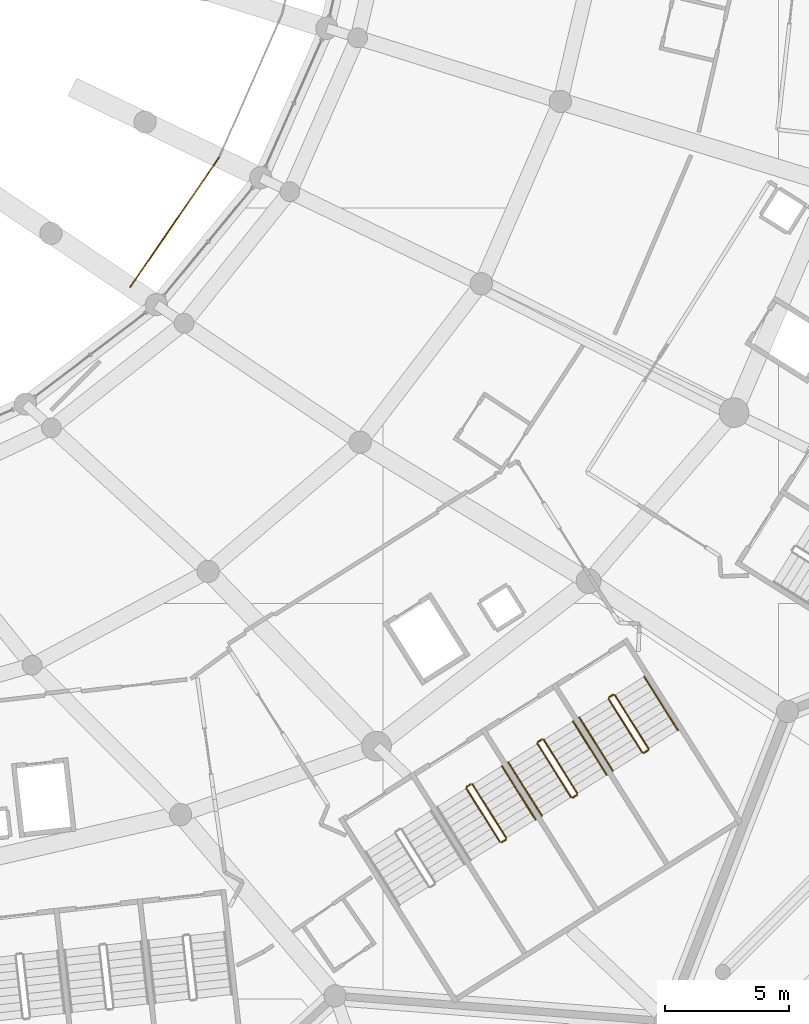
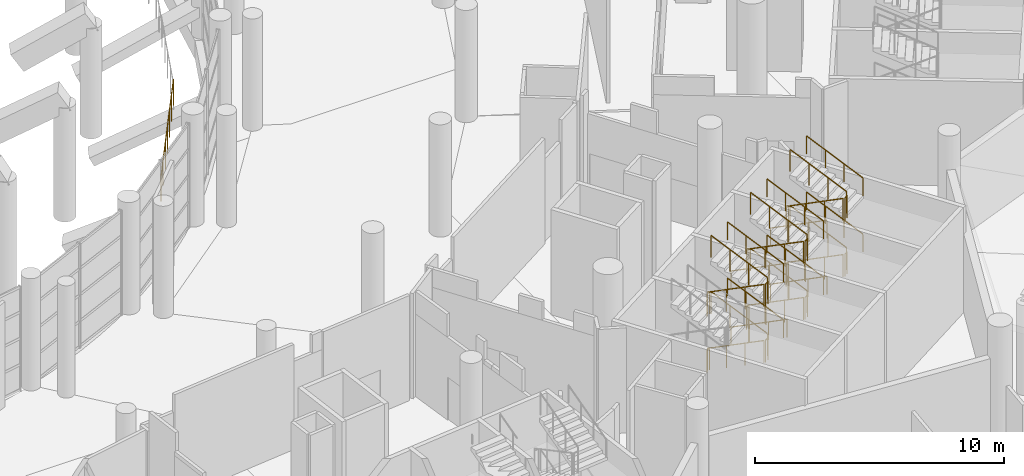
# One storey, part 240 of 271: 35 railings.
"""IFC4 building model written with IfcOpenShell, lengths in metres."""

from ifc_helpers import new_model, si_unit, direction, frame, origin, origin_2d, place, context, subcontext, project, spatial, circle, extrude, material, type_object, element, save


model = new_model("IFC4")

# Units and contexts
model_context = context("Model", 3, precision=1e-05, world=origin(), true_north=direction((0.0, 1.0)))
body_context = subcontext(model_context, "Body", "Model", "MODEL_VIEW")
ifc_project = project(units=[si_unit("LENGTHUNIT", "METRE"), si_unit("AREAUNIT", "SQUARE_METRE"), si_unit("VOLUMEUNIT", "CUBIC_METRE"), si_unit("PLANEANGLEUNIT", "RADIAN"), si_unit("MASSUNIT", "GRAM", prefix="KILO")], contexts=[model_context])

# Site, building, storey
site_placement = place(None, origin())
site = spatial("IfcSite", under=ifc_project, at=site_placement, CompositionType="ELEMENT")
building_placement = place(site_placement, origin())
building = spatial("IfcBuilding", under=site, at=building_placement, Name="Meseta Stadium", CompositionType="ELEMENT")
storey_placement = place(building_placement, frame((0.0, 0.0, 6.5)))
storey = spatial("IfcBuildingStorey", under=building, at=storey_placement, Name="L01", CompositionType="ELEMENT", Elevation=6.5)

# Railings
ifc_material_1 = material(Name="Steel S355", Category="steel")
railing_type_1 = type_object("IfcRailingType", Name="Stair guard 1100", PredefinedType="GUARDRAIL", material=ifc_material_1)
railing_1_placement = place(storey_placement, frame((67.3642578125, -87.47802734375, 0.15283203125)))
element("IfcRailing", 1, at=railing_1_placement, inside=storey, type_object=railing_type_1, Name="ST106 L01 guard 1", PredefinedType="GUARDRAIL", context=body_context, shape_type="SweptSolid", body=[
    extrude(circle(Radius=0.02392578125, at=origin_2d()), frame((0.0, 0.0, 1.076171875), z_axis=(0.480058669713, -0.764152192252, 0.430830710036), x_axis=(0.846769111272, 0.53196059271, 0.0)), (0.0, 0.0, 1.0), 2.836669921875),
    extrude(circle(Radius=0.02099609375, at=origin_2d()), origin(), (0.0, 0.0, 1.0), 1.052001953125),
    extrude(circle(Radius=0.02099609375, at=origin_2d()), frame((0.453857421875, -0.72265625, 0.407470703125)), (0.0, 0.0, 1.0), 1.052001953125),
    extrude(circle(Radius=0.02099609375, at=origin_2d()), frame((0.907958984375, -1.445068359375, 0.814697265625)), (0.0, 0.0, 1.0), 1.052001953125),
    extrude(circle(Radius=0.02099609375, at=origin_2d()), frame((1.36181640625, -2.167724609375, 1.22216796875)), (0.0, 0.0, 1.0), 1.052001953125),
])
railing_2_placement = place(storey_placement, frame((68.795166015625, -89.661376953125, 1.375)))
element("IfcRailing", 2, at=railing_2_placement, inside=storey, type_object=railing_type_1, Name="ST106 L01 guard 2", PredefinedType="GUARDRAIL", context=body_context, shape_type="SweptSolid", body=[
    extrude(circle(Radius=0.02392578125, at=origin_2d()), frame((0.0, 0.0, 1.076171875), z_axis=(0.846416356806, 0.532521690573, 0.0), x_axis=(-0.532521690573, 0.846416356806, 0.0)), (0.0, 0.0, 1.0), 0.199951171875),
    extrude(circle(Radius=0.02099609375, at=origin_2d()), origin(), (0.0, 0.0, 1.0), 1.052001953125),
    extrude(circle(Radius=0.02099609375, at=origin_2d()), frame((0.169189453125, 0.1064453125, 0.0)), (0.0, 0.0, 1.0), 1.052001953125),
])
railing_3_placement = place(storey_placement, frame((68.980224609375, -89.486083984375, 1.52783203125)))
element("IfcRailing", 3, at=railing_3_placement, inside=storey, type_object=railing_type_1, Name="ST106 L01 guard 3", PredefinedType="GUARDRAIL", context=body_context, shape_type="SweptSolid", body=[
    extrude(circle(Radius=0.02392578125, at=origin_2d()), frame((0.0, 0.0, 1.076171875), z_axis=(-0.480124894743, 0.764120620259, 0.430812909676), x_axis=(-0.846726152555, -0.532028967801, 0.0)), (0.0, 0.0, 1.0), 2.8369140625),
    extrude(circle(Radius=0.02099609375, at=origin_2d()), origin(), (0.0, 0.0, 1.0), 1.052001953125),
    extrude(circle(Radius=0.02099609375, at=origin_2d()), frame((-0.4541015625, 0.72265625, 0.407470703125)), (0.0, 0.0, 1.0), 1.052001953125),
    extrude(circle(Radius=0.02099609375, at=origin_2d()), frame((-0.907958984375, 1.445068359375, 0.814697265625)), (0.0, 0.0, 1.0), 1.052001953125),
    extrude(circle(Radius=0.02099609375, at=origin_2d()), frame((-1.362060546875, 2.167724609375, 1.22216796875)), (0.0, 0.0, 1.0), 1.052001953125),
])
railing_4_placement = place(storey_placement, frame((67.3798828125, -87.4091796875, 2.75)))
element("IfcRailing", 4, at=railing_4_placement, inside=storey, type_object=railing_type_1, Name="ST106 L01 guard 4", PredefinedType="GUARDRAIL", context=body_context, shape_type="SweptSolid", body=[
    extrude(circle(Radius=0.02392578125, at=origin_2d()), frame((0.0, 0.0, 1.076171875), z_axis=(0.846762178531, 0.531971628011, 0.0), x_axis=(-0.531971628011, 0.846762178531, 0.0)), (0.0, 0.0, 1.0), 0.2001953125),
    extrude(circle(Radius=0.02099609375, at=origin_2d()), origin(), (0.0, 0.0, 1.0), 1.052001953125),
    extrude(circle(Radius=0.02099609375, at=origin_2d()), frame((0.16943359375, 0.1064453125, 0.0)), (0.0, 0.0, 1.0), 1.052001953125),
])
railing_5_placement = place(storey_placement, frame((67.3642578125, -87.47802734375, 2.90283203125)))
element("IfcRailing", 5, at=railing_5_placement, inside=storey, type_object=railing_type_1, Name="ST106 L01 guard 5", PredefinedType="GUARDRAIL", context=body_context, shape_type="SweptSolid", body=[
    extrude(circle(Radius=0.02392578125, at=origin_2d()), frame((0.0, 0.0, 1.076171875), z_axis=(0.480058669713, -0.764152192252, 0.430830710036), x_axis=(0.846769111272, 0.53196059271, 0.0)), (0.0, 0.0, 1.0), 2.836669921875),
    extrude(circle(Radius=0.02099609375, at=origin_2d()), origin(), (0.0, 0.0, 1.0), 1.052001953125),
    extrude(circle(Radius=0.02099609375, at=origin_2d()), frame((0.453857421875, -0.72265625, 0.407470703125)), (0.0, 0.0, 1.0), 1.052001953125),
    extrude(circle(Radius=0.02099609375, at=origin_2d()), frame((0.907958984375, -1.445068359375, 0.814697265625)), (0.0, 0.0, 1.0), 1.052001953125),
    extrude(circle(Radius=0.02099609375, at=origin_2d()), frame((1.36181640625, -2.167724609375, 1.22216796875)), (0.0, 0.0, 1.0), 1.052001953125),
])
railing_6_placement = place(storey_placement, frame((68.795166015625, -89.661376953125, 4.125)))
element("IfcRailing", 6, at=railing_6_placement, inside=storey, type_object=railing_type_1, Name="ST106 L01 guard 6", PredefinedType="GUARDRAIL", context=body_context, shape_type="SweptSolid", body=[
    extrude(circle(Radius=0.02392578125, at=origin_2d()), frame((0.0, 0.0, 1.076171875), z_axis=(0.846416356806, 0.532521690573, 0.0), x_axis=(-0.532521690573, 0.846416356806, 0.0)), (0.0, 0.0, 1.0), 0.199951171875),
    extrude(circle(Radius=0.02099609375, at=origin_2d()), origin(), (0.0, 0.0, 1.0), 1.052001953125),
    extrude(circle(Radius=0.02099609375, at=origin_2d()), frame((0.169189453125, 0.1064453125, 0.0)), (0.0, 0.0, 1.0), 1.052001953125),
])
railing_7_placement = place(storey_placement, frame((68.980224609375, -89.486083984375, 4.27783203125)))
element("IfcRailing", 7, at=railing_7_placement, inside=storey, type_object=railing_type_1, Name="ST106 L01 guard 7", PredefinedType="GUARDRAIL", context=body_context, shape_type="SweptSolid", body=[
    extrude(circle(Radius=0.02392578125, at=origin_2d()), frame((0.0, 0.0, 1.076171875), z_axis=(-0.480124894743, 0.764120620259, 0.430812909676), x_axis=(-0.846726152555, -0.532028967801, 0.0)), (0.0, 0.0, 1.0), 2.8369140625),
    extrude(circle(Radius=0.02099609375, at=origin_2d()), origin(), (0.0, 0.0, 1.0), 1.052001953125),
    extrude(circle(Radius=0.02099609375, at=origin_2d()), frame((-0.4541015625, 0.72265625, 0.407470703125)), (0.0, 0.0, 1.0), 1.052001953125),
    extrude(circle(Radius=0.02099609375, at=origin_2d()), frame((-0.907958984375, 1.445068359375, 0.814697265625)), (0.0, 0.0, 1.0), 1.052001953125),
    extrude(circle(Radius=0.02099609375, at=origin_2d()), frame((-1.362060546875, 2.167724609375, 1.22216796875)), (0.0, 0.0, 1.0), 1.052001953125),
])
railing_8_placement = place(storey_placement, frame((67.3798828125, -87.4091796875, 0.0)))
element("IfcRailing", 8, at=railing_8_placement, inside=storey, type_object=railing_type_1, Name="ST106 L01 guard 8", PredefinedType="GUARDRAIL", context=body_context, shape_type="SweptSolid", body=[
    extrude(circle(Radius=0.02392578125, at=origin_2d()), frame((0.0, 0.0, 1.076171875), z_axis=(0.846762178531, 0.531971628011, 0.0), x_axis=(-0.531971628011, 0.846762178531, 0.0)), (0.0, 0.0, 1.0), 0.2001953125),
    extrude(circle(Radius=0.02099609375, at=origin_2d()), origin(), (0.0, 0.0, 1.0), 1.052001953125),
    extrude(circle(Radius=0.02099609375, at=origin_2d()), frame((0.16943359375, 0.1064453125, 0.0)), (0.0, 0.0, 1.0), 1.052001953125),
])
railing_9_placement = place(storey_placement, frame((70.242919921875, -85.669189453125, 0.15283203125)))
element("IfcRailing", 9, at=railing_9_placement, inside=storey, type_object=railing_type_1, Name="ST107 L01 guard 1", PredefinedType="GUARDRAIL", context=body_context, shape_type="SweptSolid", body=[
    extrude(circle(Radius=0.02392578125, at=origin_2d()), frame((0.0, 0.0, 1.076171875), z_axis=(0.480156468945, -0.764084805753, 0.430841241), x_axis=(0.84669915639, 0.532071929883, 0.0)), (0.0, 0.0, 1.0), 2.836669921875),
    extrude(circle(Radius=0.02099609375, at=origin_2d()), origin(), (0.0, 0.0, 1.0), 1.052001953125),
    extrude(circle(Radius=0.02099609375, at=origin_2d()), frame((0.4541015625, -0.722412109375, 0.407470703125)), (0.0, 0.0, 1.0), 1.052001953125),
    extrude(circle(Radius=0.02099609375, at=origin_2d()), frame((0.907958984375, -1.445068359375, 0.814697265625)), (0.0, 0.0, 1.0), 1.052001953125),
    extrude(circle(Radius=0.02099609375, at=origin_2d()), frame((1.362060546875, -2.16748046875, 1.22216796875)), (0.0, 0.0, 1.0), 1.052001953125),
])
railing_10_placement = place(storey_placement, frame((71.673828125, -87.8525390625, 1.375)))
element("IfcRailing", 10, at=railing_10_placement, inside=storey, type_object=railing_type_1, Name="ST107 L01 guard 2", PredefinedType="GUARDRAIL", context=body_context, shape_type="SweptSolid", body=[
    extrude(circle(Radius=0.02392578125, at=origin_2d()), frame((0.0, 0.0, 1.076171875), z_axis=(0.846762178531, 0.531971628011, 0.0), x_axis=(-0.531971628011, 0.846762178531, 0.0)), (0.0, 0.0, 1.0), 0.2001953125),
    extrude(circle(Radius=0.02099609375, at=origin_2d()), origin(), (0.0, 0.0, 1.0), 1.052001953125),
    extrude(circle(Radius=0.02099609375, at=origin_2d()), frame((0.16943359375, 0.1064453125, 0.0)), (0.0, 0.0, 1.0), 1.052001953125),
])
railing_11_placement = place(storey_placement, frame((71.859130859375, -87.67724609375, 1.52783203125)))
element("IfcRailing", 11, at=railing_11_placement, inside=storey, type_object=railing_type_1, Name="ST107 L01 guard 3", PredefinedType="GUARDRAIL", context=body_context, shape_type="SweptSolid", body=[
    extrude(circle(Radius=0.02392578125, at=origin_2d()), frame((0.0, 0.0, 1.076171875), z_axis=(-0.480124894743, 0.764120620259, 0.430812909676), x_axis=(-0.846726152555, -0.532028967801, 0.0)), (0.0, 0.0, 1.0), 2.8369140625),
    extrude(circle(Radius=0.02099609375, at=origin_2d()), origin(), (0.0, 0.0, 1.0), 1.052001953125),
    extrude(circle(Radius=0.02099609375, at=origin_2d()), frame((-0.4541015625, 0.72265625, 0.407470703125)), (0.0, 0.0, 1.0), 1.052001953125),
    extrude(circle(Radius=0.02099609375, at=origin_2d()), frame((-0.907958984375, 1.445068359375, 0.814697265625)), (0.0, 0.0, 1.0), 1.052001953125),
    extrude(circle(Radius=0.02099609375, at=origin_2d()), frame((-1.362060546875, 2.167724609375, 1.22216796875)), (0.0, 0.0, 1.0), 1.052001953125),
])
railing_12_placement = place(storey_placement, frame((70.2587890625, -85.600341796875, 2.75)))
element("IfcRailing", 12, at=railing_12_placement, inside=storey, type_object=railing_type_1, Name="ST107 L01 guard 4", PredefinedType="GUARDRAIL", context=body_context, shape_type="SweptSolid", body=[
    extrude(circle(Radius=0.02392578125, at=origin_2d()), frame((0.0, 0.0, 1.076171875), z_axis=(0.846416356806, 0.532521690573, 0.0), x_axis=(-0.532521690573, 0.846416356806, 0.0)), (0.0, 0.0, 1.0), 0.199951171875),
    extrude(circle(Radius=0.02099609375, at=origin_2d()), origin(), (0.0, 0.0, 1.0), 1.052001953125),
    extrude(circle(Radius=0.02099609375, at=origin_2d()), frame((0.169189453125, 0.1064453125, 0.0)), (0.0, 0.0, 1.0), 1.052001953125),
])
railing_13_placement = place(storey_placement, frame((70.242919921875, -85.669189453125, 2.90283203125)))
element("IfcRailing", 13, at=railing_13_placement, inside=storey, type_object=railing_type_1, Name="ST107 L01 guard 5", PredefinedType="GUARDRAIL", context=body_context, shape_type="SweptSolid", body=[
    extrude(circle(Radius=0.02392578125, at=origin_2d()), frame((0.0, 0.0, 1.076171875), z_axis=(0.480156468945, -0.764084805753, 0.430841241), x_axis=(0.84669915639, 0.532071929883, 0.0)), (0.0, 0.0, 1.0), 2.836669921875),
    extrude(circle(Radius=0.02099609375, at=origin_2d()), origin(), (0.0, 0.0, 1.0), 1.052001953125),
    extrude(circle(Radius=0.02099609375, at=origin_2d()), frame((0.4541015625, -0.722412109375, 0.407470703125)), (0.0, 0.0, 1.0), 1.052001953125),
    extrude(circle(Radius=0.02099609375, at=origin_2d()), frame((0.907958984375, -1.445068359375, 0.814697265625)), (0.0, 0.0, 1.0), 1.052001953125),
    extrude(circle(Radius=0.02099609375, at=origin_2d()), frame((1.362060546875, -2.16748046875, 1.22216796875)), (0.0, 0.0, 1.0), 1.052001953125),
])
railing_14_placement = place(storey_placement, frame((71.673828125, -87.8525390625, 4.125)))
element("IfcRailing", 14, at=railing_14_placement, inside=storey, type_object=railing_type_1, Name="ST107 L01 guard 6", PredefinedType="GUARDRAIL", context=body_context, shape_type="SweptSolid", body=[
    extrude(circle(Radius=0.02392578125, at=origin_2d()), frame((0.0, 0.0, 1.076171875), z_axis=(0.846762178531, 0.531971628011, 0.0), x_axis=(-0.531971628011, 0.846762178531, 0.0)), (0.0, 0.0, 1.0), 0.2001953125),
    extrude(circle(Radius=0.02099609375, at=origin_2d()), origin(), (0.0, 0.0, 1.0), 1.052001953125),
    extrude(circle(Radius=0.02099609375, at=origin_2d()), frame((0.16943359375, 0.1064453125, 0.0)), (0.0, 0.0, 1.0), 1.052001953125),
])
railing_15_placement = place(storey_placement, frame((71.859130859375, -87.67724609375, 4.27783203125)))
element("IfcRailing", 15, at=railing_15_placement, inside=storey, type_object=railing_type_1, Name="ST107 L01 guard 7", PredefinedType="GUARDRAIL", context=body_context, shape_type="SweptSolid", body=[
    extrude(circle(Radius=0.02392578125, at=origin_2d()), frame((0.0, 0.0, 1.076171875), z_axis=(-0.480124894743, 0.764120620259, 0.430812909676), x_axis=(-0.846726152555, -0.532028967801, 0.0)), (0.0, 0.0, 1.0), 2.8369140625),
    extrude(circle(Radius=0.02099609375, at=origin_2d()), origin(), (0.0, 0.0, 1.0), 1.052001953125),
    extrude(circle(Radius=0.02099609375, at=origin_2d()), frame((-0.4541015625, 0.72265625, 0.407470703125)), (0.0, 0.0, 1.0), 1.052001953125),
    extrude(circle(Radius=0.02099609375, at=origin_2d()), frame((-0.907958984375, 1.445068359375, 0.814697265625)), (0.0, 0.0, 1.0), 1.052001953125),
    extrude(circle(Radius=0.02099609375, at=origin_2d()), frame((-1.362060546875, 2.167724609375, 1.22216796875)), (0.0, 0.0, 1.0), 1.052001953125),
])
railing_16_placement = place(storey_placement, frame((70.2587890625, -85.600341796875, 0.0)))
element("IfcRailing", 16, at=railing_16_placement, inside=storey, type_object=railing_type_1, Name="ST107 L01 guard 8", PredefinedType="GUARDRAIL", context=body_context, shape_type="SweptSolid", body=[
    extrude(circle(Radius=0.02392578125, at=origin_2d()), frame((0.0, 0.0, 1.076171875), z_axis=(0.846416356806, 0.532521690573, 0.0), x_axis=(-0.532521690573, 0.846416356806, 0.0)), (0.0, 0.0, 1.0), 0.199951171875),
    extrude(circle(Radius=0.02099609375, at=origin_2d()), origin(), (0.0, 0.0, 1.0), 1.052001953125),
    extrude(circle(Radius=0.02099609375, at=origin_2d()), frame((0.169189453125, 0.1064453125, 0.0)), (0.0, 0.0, 1.0), 1.052001953125),
])
railing_17_placement = place(storey_placement, frame((73.121826171875, -83.8603515625, 0.15283203125)))
element("IfcRailing", 17, at=railing_17_placement, inside=storey, type_object=railing_type_1, Name="ST108 L01 guard 1", PredefinedType="GUARDRAIL", context=body_context, shape_type="SweptSolid", body=[
    extrude(circle(Radius=0.02392578125, at=origin_2d()), frame((0.0, 0.0, 1.076171875), z_axis=(0.480156468945, -0.764084805753, 0.430841241), x_axis=(0.84669915639, 0.532071929883, 0.0)), (0.0, 0.0, 1.0), 2.836669921875),
    extrude(circle(Radius=0.02099609375, at=origin_2d()), origin(), (0.0, 0.0, 1.0), 1.052001953125),
    extrude(circle(Radius=0.02099609375, at=origin_2d()), frame((0.4541015625, -0.722412109375, 0.407470703125)), (0.0, 0.0, 1.0), 1.052001953125),
    extrude(circle(Radius=0.02099609375, at=origin_2d()), frame((0.907958984375, -1.445068359375, 0.814697265625)), (0.0, 0.0, 1.0), 1.052001953125),
    extrude(circle(Radius=0.02099609375, at=origin_2d()), frame((1.362060546875, -2.16748046875, 1.22216796875)), (0.0, 0.0, 1.0), 1.052001953125),
])
railing_18_placement = place(storey_placement, frame((74.552734375, -86.043701171875, 1.375)))
element("IfcRailing", 18, at=railing_18_placement, inside=storey, type_object=railing_type_1, Name="ST108 L01 guard 2", PredefinedType="GUARDRAIL", context=body_context, shape_type="SweptSolid", body=[
    extrude(circle(Radius=0.02392578125, at=origin_2d()), frame((0.0, 0.0, 1.076171875), z_axis=(0.846762178531, 0.531971628011, 0.0), x_axis=(-0.531971628011, 0.846762178531, 0.0)), (0.0, 0.0, 1.0), 0.2001953125),
    extrude(circle(Radius=0.02099609375, at=origin_2d()), origin(), (0.0, 0.0, 1.0), 1.052001953125),
    extrude(circle(Radius=0.02099609375, at=origin_2d()), frame((0.16943359375, 0.1064453125, 0.0)), (0.0, 0.0, 1.0), 1.052001953125),
])
railing_19_placement = place(storey_placement, frame((74.73779296875, -85.8681640625, 1.52783203125)))
element("IfcRailing", 19, at=railing_19_placement, inside=storey, type_object=railing_type_1, Name="ST108 L01 guard 3", PredefinedType="GUARDRAIL", context=body_context, shape_type="SweptSolid", body=[
    extrude(circle(Radius=0.02392578125, at=origin_2d()), frame((0.0, 0.0, 1.076171875), z_axis=(-0.480090242169, 0.764116380419, 0.430859044873), x_axis=(-0.846742120675, -0.53200355363, 0.0)), (0.0, 0.0, 1.0), 2.836669921875),
    extrude(circle(Radius=0.02099609375, at=origin_2d()), origin(), (0.0, 0.0, 1.0), 1.052001953125),
    extrude(circle(Radius=0.02099609375, at=origin_2d()), frame((-0.453857421875, 0.722412109375, 0.407470703125)), (0.0, 0.0, 1.0), 1.052001953125),
    extrude(circle(Radius=0.02099609375, at=origin_2d()), frame((-0.907958984375, 1.445068359375, 0.814697265625)), (0.0, 0.0, 1.0), 1.052001953125),
    extrude(circle(Radius=0.02099609375, at=origin_2d()), frame((-1.36181640625, 2.16748046875, 1.22216796875)), (0.0, 0.0, 1.0), 1.052001953125),
])
railing_20_placement = place(storey_placement, frame((73.1376953125, -83.791259765625, 2.75)))
element("IfcRailing", 20, at=railing_20_placement, inside=storey, type_object=railing_type_1, Name="ST108 L01 guard 4", PredefinedType="GUARDRAIL", context=body_context, shape_type="SweptSolid", body=[
    extrude(circle(Radius=0.02392578125, at=origin_2d()), frame((0.0, 0.0, 1.076171875), z_axis=(0.846416356806, 0.532521690573, 0.0), x_axis=(-0.532521690573, 0.846416356806, 0.0)), (0.0, 0.0, 1.0), 0.199951171875),
    extrude(circle(Radius=0.02099609375, at=origin_2d()), origin(), (0.0, 0.0, 1.0), 1.052001953125),
    extrude(circle(Radius=0.02099609375, at=origin_2d()), frame((0.169189453125, 0.1064453125, 0.0)), (0.0, 0.0, 1.0), 1.052001953125),
])
railing_21_placement = place(storey_placement, frame((73.121826171875, -83.8603515625, 2.90283203125)))
element("IfcRailing", 21, at=railing_21_placement, inside=storey, type_object=railing_type_1, Name="ST108 L01 guard 5", PredefinedType="GUARDRAIL", context=body_context, shape_type="SweptSolid", body=[
    extrude(circle(Radius=0.02392578125, at=origin_2d()), frame((0.0, 0.0, 1.076171875), z_axis=(0.480156468945, -0.764084805753, 0.430841241), x_axis=(0.84669915639, 0.532071929883, 0.0)), (0.0, 0.0, 1.0), 2.836669921875),
    extrude(circle(Radius=0.02099609375, at=origin_2d()), origin(), (0.0, 0.0, 1.0), 1.052001953125),
    extrude(circle(Radius=0.02099609375, at=origin_2d()), frame((0.4541015625, -0.722412109375, 0.407470703125)), (0.0, 0.0, 1.0), 1.052001953125),
    extrude(circle(Radius=0.02099609375, at=origin_2d()), frame((0.907958984375, -1.445068359375, 0.814697265625)), (0.0, 0.0, 1.0), 1.052001953125),
    extrude(circle(Radius=0.02099609375, at=origin_2d()), frame((1.362060546875, -2.16748046875, 1.22216796875)), (0.0, 0.0, 1.0), 1.052001953125),
])
railing_22_placement = place(storey_placement, frame((74.552734375, -86.043701171875, 4.125)))
element("IfcRailing", 22, at=railing_22_placement, inside=storey, type_object=railing_type_1, Name="ST108 L01 guard 6", PredefinedType="GUARDRAIL", context=body_context, shape_type="SweptSolid", body=[
    extrude(circle(Radius=0.02392578125, at=origin_2d()), frame((0.0, 0.0, 1.076171875), z_axis=(0.846762178531, 0.531971628011, 0.0), x_axis=(-0.531971628011, 0.846762178531, 0.0)), (0.0, 0.0, 1.0), 0.2001953125),
    extrude(circle(Radius=0.02099609375, at=origin_2d()), origin(), (0.0, 0.0, 1.0), 1.052001953125),
    extrude(circle(Radius=0.02099609375, at=origin_2d()), frame((0.16943359375, 0.1064453125, 0.0)), (0.0, 0.0, 1.0), 1.052001953125),
])
railing_23_placement = place(storey_placement, frame((74.73779296875, -85.8681640625, 4.27783203125)))
element("IfcRailing", 23, at=railing_23_placement, inside=storey, type_object=railing_type_1, Name="ST108 L01 guard 7", PredefinedType="GUARDRAIL", context=body_context, shape_type="SweptSolid", body=[
    extrude(circle(Radius=0.02392578125, at=origin_2d()), frame((0.0, 0.0, 1.076171875), z_axis=(-0.480090242169, 0.764116380419, 0.430859044873), x_axis=(-0.846742120675, -0.53200355363, 0.0)), (0.0, 0.0, 1.0), 2.836669921875),
    extrude(circle(Radius=0.02099609375, at=origin_2d()), origin(), (0.0, 0.0, 1.0), 1.052001953125),
    extrude(circle(Radius=0.02099609375, at=origin_2d()), frame((-0.453857421875, 0.722412109375, 0.407470703125)), (0.0, 0.0, 1.0), 1.052001953125),
    extrude(circle(Radius=0.02099609375, at=origin_2d()), frame((-0.907958984375, 1.445068359375, 0.814697265625)), (0.0, 0.0, 1.0), 1.052001953125),
    extrude(circle(Radius=0.02099609375, at=origin_2d()), frame((-1.36181640625, 2.16748046875, 1.22216796875)), (0.0, 0.0, 1.0), 1.052001953125),
])
railing_24_placement = place(storey_placement, frame((73.1376953125, -83.791259765625, 0.0)))
element("IfcRailing", 24, at=railing_24_placement, inside=storey, type_object=railing_type_1, Name="ST108 L01 guard 8", PredefinedType="GUARDRAIL", context=body_context, shape_type="SweptSolid", body=[
    extrude(circle(Radius=0.02392578125, at=origin_2d()), frame((0.0, 0.0, 1.076171875), z_axis=(0.846416356806, 0.532521690573, 0.0), x_axis=(-0.532521690573, 0.846416356806, 0.0)), (0.0, 0.0, 1.0), 0.199951171875),
    extrude(circle(Radius=0.02099609375, at=origin_2d()), origin(), (0.0, 0.0, 1.0), 1.052001953125),
    extrude(circle(Radius=0.02099609375, at=origin_2d()), frame((0.169189453125, 0.1064453125, 0.0)), (0.0, 0.0, 1.0), 1.052001953125),
])
ifc_material_2 = material(Name="Steel S355", Category="steel")
railing_type_2 = type_object("IfcRailingType", Name="Stair handrail 900", PredefinedType="HANDRAIL", material=ifc_material_2)
for number, where, name in (
    (25, (70.16552734375, -88.7412109375, 1.52783203125), "ST106 L01 handrail 2"),
    (26, (70.16552734375, -88.7412109375, 4.27783203125), "ST106 L01 handrail 4"),
):
    element("IfcRailing", number, at=place(storey_placement, frame(where)), inside=storey, type_object=railing_type_2, Name=name, PredefinedType="HANDRAIL", context=body_context, shape_type="SweptSolid", body=[
        extrude(circle(Radius=0.02392578125, at=origin_2d()), frame((0.0, 0.0, 0.8759765625), z_axis=(-0.480156468945, 0.764084805753, 0.430841241), x_axis=(-0.84669915639, -0.532071929883, 0.0)), (0.0, 0.0, 1.0), 2.836669921875),
        extrude(circle(Radius=0.02099609375, at=origin_2d()), origin(), (0.0, 0.0, 1.0), 0.851806640625),
        extrude(circle(Radius=0.02099609375, at=origin_2d()), frame((-0.4541015625, 0.722412109375, 0.407470703125)), (0.0, 0.0, 1.0), 0.851806640625),
        extrude(circle(Radius=0.02099609375, at=origin_2d()), frame((-0.907958984375, 1.445068359375, 0.814697265625)), (0.0, 0.0, 1.0), 0.851806640625),
        extrude(circle(Radius=0.02099609375, at=origin_2d()), frame((-1.362060546875, 2.16748046875, 1.22216796875)), (0.0, 0.0, 1.0), 0.851806640625),
    ])
railing_25_placement = place(storey_placement, frame((69.0576171875, -86.4140625, 0.15283203125)))
element("IfcRailing", 27, at=railing_25_placement, inside=storey, type_object=railing_type_2, Name="ST107 L01 handrail 1", PredefinedType="HANDRAIL", context=body_context, shape_type="SweptSolid", body=[
    extrude(circle(Radius=0.02392578125, at=origin_2d()), frame((0.0, 0.0, 0.8759765625), z_axis=(0.480156468945, -0.764084805753, 0.430841241), x_axis=(0.84669915639, 0.532071929883, 0.0)), (0.0, 0.0, 1.0), 2.836669921875),
    extrude(circle(Radius=0.02099609375, at=origin_2d()), origin(), (0.0, 0.0, 1.0), 0.851806640625),
    extrude(circle(Radius=0.02099609375, at=origin_2d()), frame((0.4541015625, -0.722412109375, 0.407470703125)), (0.0, 0.0, 1.0), 0.851806640625),
    extrude(circle(Radius=0.02099609375, at=origin_2d()), frame((0.907958984375, -1.445068359375, 0.814697265625)), (0.0, 0.0, 1.0), 0.851806640625),
    extrude(circle(Radius=0.02099609375, at=origin_2d()), frame((1.362060546875, -2.16748046875, 1.22216796875)), (0.0, 0.0, 1.0), 0.851806640625),
])
railing_26_placement = place(storey_placement, frame((73.04443359375, -86.932373046875, 1.52783203125)))
element("IfcRailing", 28, at=railing_26_placement, inside=storey, type_object=railing_type_2, Name="ST107 L01 handrail 2", PredefinedType="HANDRAIL", context=body_context, shape_type="SweptSolid", body=[
    extrude(circle(Radius=0.02392578125, at=origin_2d()), frame((0.0, 0.0, 0.8759765625), z_axis=(-0.480124894743, 0.764120620259, 0.430812909676), x_axis=(-0.846726152555, -0.532028967801, 0.0)), (0.0, 0.0, 1.0), 2.8369140625),
    extrude(circle(Radius=0.02099609375, at=origin_2d()), origin(), (0.0, 0.0, 1.0), 0.851806640625),
    extrude(circle(Radius=0.02099609375, at=origin_2d()), frame((-0.4541015625, 0.72265625, 0.407470703125)), (0.0, 0.0, 1.0), 0.851806640625),
    extrude(circle(Radius=0.02099609375, at=origin_2d()), frame((-0.907958984375, 1.445068359375, 0.814697265625)), (0.0, 0.0, 1.0), 0.851806640625),
    extrude(circle(Radius=0.02099609375, at=origin_2d()), frame((-1.362060546875, 2.167724609375, 1.22216796875)), (0.0, 0.0, 1.0), 0.851806640625),
])
railing_27_placement = place(storey_placement, frame((69.0576171875, -86.4140625, 2.90283203125)))
element("IfcRailing", 29, at=railing_27_placement, inside=storey, type_object=railing_type_2, Name="ST107 L01 handrail 3", PredefinedType="HANDRAIL", context=body_context, shape_type="SweptSolid", body=[
    extrude(circle(Radius=0.02392578125, at=origin_2d()), frame((0.0, 0.0, 0.8759765625), z_axis=(0.480156468945, -0.764084805753, 0.430841241), x_axis=(0.84669915639, 0.532071929883, 0.0)), (0.0, 0.0, 1.0), 2.836669921875),
    extrude(circle(Radius=0.02099609375, at=origin_2d()), origin(), (0.0, 0.0, 1.0), 0.851806640625),
    extrude(circle(Radius=0.02099609375, at=origin_2d()), frame((0.4541015625, -0.722412109375, 0.407470703125)), (0.0, 0.0, 1.0), 0.851806640625),
    extrude(circle(Radius=0.02099609375, at=origin_2d()), frame((0.907958984375, -1.445068359375, 0.814697265625)), (0.0, 0.0, 1.0), 0.851806640625),
    extrude(circle(Radius=0.02099609375, at=origin_2d()), frame((1.362060546875, -2.16748046875, 1.22216796875)), (0.0, 0.0, 1.0), 0.851806640625),
])
railing_28_placement = place(storey_placement, frame((73.04443359375, -86.932373046875, 4.27783203125)))
element("IfcRailing", 30, at=railing_28_placement, inside=storey, type_object=railing_type_2, Name="ST107 L01 handrail 4", PredefinedType="HANDRAIL", context=body_context, shape_type="SweptSolid", body=[
    extrude(circle(Radius=0.02392578125, at=origin_2d()), frame((0.0, 0.0, 0.8759765625), z_axis=(-0.480124894743, 0.764120620259, 0.430812909676), x_axis=(-0.846726152555, -0.532028967801, 0.0)), (0.0, 0.0, 1.0), 2.8369140625),
    extrude(circle(Radius=0.02099609375, at=origin_2d()), origin(), (0.0, 0.0, 1.0), 0.851806640625),
    extrude(circle(Radius=0.02099609375, at=origin_2d()), frame((-0.4541015625, 0.72265625, 0.407470703125)), (0.0, 0.0, 1.0), 0.851806640625),
    extrude(circle(Radius=0.02099609375, at=origin_2d()), frame((-0.907958984375, 1.445068359375, 0.814697265625)), (0.0, 0.0, 1.0), 0.851806640625),
    extrude(circle(Radius=0.02099609375, at=origin_2d()), frame((-1.362060546875, 2.167724609375, 1.22216796875)), (0.0, 0.0, 1.0), 0.851806640625),
])
railing_29_placement = place(storey_placement, frame((71.9365234375, -84.60498046875, 0.15283203125)))
element("IfcRailing", 31, at=railing_29_placement, inside=storey, type_object=railing_type_2, Name="ST108 L01 handrail 1", PredefinedType="HANDRAIL", context=body_context, shape_type="SweptSolid", body=[
    extrude(circle(Radius=0.02392578125, at=origin_2d()), frame((0.0, 0.0, 0.8759765625), z_axis=(0.480058669713, -0.764152192252, 0.430830710036), x_axis=(0.846769111272, 0.53196059271, 0.0)), (0.0, 0.0, 1.0), 2.836669921875),
    extrude(circle(Radius=0.02099609375, at=origin_2d()), origin(), (0.0, 0.0, 1.0), 0.851806640625),
    extrude(circle(Radius=0.02099609375, at=origin_2d()), frame((0.453857421875, -0.72265625, 0.407470703125)), (0.0, 0.0, 1.0), 0.851806640625),
    extrude(circle(Radius=0.02099609375, at=origin_2d()), frame((0.907958984375, -1.445068359375, 0.814697265625)), (0.0, 0.0, 1.0), 0.851806640625),
    extrude(circle(Radius=0.02099609375, at=origin_2d()), frame((1.36181640625, -2.167724609375, 1.22216796875)), (0.0, 0.0, 1.0), 0.851806640625),
])
railing_30_placement = place(storey_placement, frame((75.92333984375, -85.12353515625, 1.52783203125)))
element("IfcRailing", 32, at=railing_30_placement, inside=storey, type_object=railing_type_2, Name="ST108 L01 handrail 2", PredefinedType="HANDRAIL", context=body_context, shape_type="SweptSolid", body=[
    extrude(circle(Radius=0.02392578125, at=origin_2d()), frame((0.0, 0.0, 0.8759765625), z_axis=(-0.480124894743, 0.764120620259, 0.430812909676), x_axis=(-0.846726152555, -0.532028967801, 0.0)), (0.0, 0.0, 1.0), 2.8369140625),
    extrude(circle(Radius=0.02099609375, at=origin_2d()), origin(), (0.0, 0.0, 1.0), 0.851806640625),
    extrude(circle(Radius=0.02099609375, at=origin_2d()), frame((-0.4541015625, 0.72265625, 0.407470703125)), (0.0, 0.0, 1.0), 0.851806640625),
    extrude(circle(Radius=0.02099609375, at=origin_2d()), frame((-0.907958984375, 1.445068359375, 0.814697265625)), (0.0, 0.0, 1.0), 0.851806640625),
    extrude(circle(Radius=0.02099609375, at=origin_2d()), frame((-1.362060546875, 2.167724609375, 1.22216796875)), (0.0, 0.0, 1.0), 0.851806640625),
])
railing_31_placement = place(storey_placement, frame((71.9365234375, -84.60498046875, 2.90283203125)))
element("IfcRailing", 33, at=railing_31_placement, inside=storey, type_object=railing_type_2, Name="ST108 L01 handrail 3", PredefinedType="HANDRAIL", context=body_context, shape_type="SweptSolid", body=[
    extrude(circle(Radius=0.02392578125, at=origin_2d()), frame((0.0, 0.0, 0.8759765625), z_axis=(0.480058669713, -0.764152192252, 0.430830710036), x_axis=(0.846769111272, 0.53196059271, 0.0)), (0.0, 0.0, 1.0), 2.836669921875),
    extrude(circle(Radius=0.02099609375, at=origin_2d()), origin(), (0.0, 0.0, 1.0), 0.851806640625),
    extrude(circle(Radius=0.02099609375, at=origin_2d()), frame((0.453857421875, -0.72265625, 0.407470703125)), (0.0, 0.0, 1.0), 0.851806640625),
    extrude(circle(Radius=0.02099609375, at=origin_2d()), frame((0.907958984375, -1.445068359375, 0.814697265625)), (0.0, 0.0, 1.0), 0.851806640625),
    extrude(circle(Radius=0.02099609375, at=origin_2d()), frame((1.36181640625, -2.167724609375, 1.22216796875)), (0.0, 0.0, 1.0), 0.851806640625),
])
railing_32_placement = place(storey_placement, frame((75.92333984375, -85.12353515625, 4.27783203125)))
element("IfcRailing", 34, at=railing_32_placement, inside=storey, type_object=railing_type_2, Name="ST108 L01 handrail 4", PredefinedType="HANDRAIL", context=body_context, shape_type="SweptSolid", body=[
    extrude(circle(Radius=0.02392578125, at=origin_2d()), frame((0.0, 0.0, 0.8759765625), z_axis=(-0.480124894743, 0.764120620259, 0.430812909676), x_axis=(-0.846726152555, -0.532028967801, 0.0)), (0.0, 0.0, 1.0), 2.8369140625),
    extrude(circle(Radius=0.02099609375, at=origin_2d()), origin(), (0.0, 0.0, 1.0), 0.851806640625),
    extrude(circle(Radius=0.02099609375, at=origin_2d()), frame((-0.4541015625, 0.72265625, 0.407470703125)), (0.0, 0.0, 1.0), 0.851806640625),
    extrude(circle(Radius=0.02099609375, at=origin_2d()), frame((-0.907958984375, 1.445068359375, 0.814697265625)), (0.0, 0.0, 1.0), 0.851806640625),
    extrude(circle(Radius=0.02099609375, at=origin_2d()), frame((-1.362060546875, 2.167724609375, 1.22216796875)), (0.0, 0.0, 1.0), 0.851806640625),
])
ifc_material_3 = material(Name="Steel S355", Category="steel")
railing_type_3 = type_object("IfcRailingType", Name="Stand rear guard 1300", PredefinedType="GUARDRAIL", material=ifc_material_3)
railing_33_placement = place(storey_placement, frame((53.76318359375, -67.1884765625, 0.89794921875)))
element("IfcRailing", 35, at=railing_33_placement, inside=storey, type_object=railing_type_3, Name="Stand lower tier rear guard bay 54", PredefinedType="GUARDRAIL", context=body_context, shape_type="SweptSolid", body=[
    extrude(circle(Radius=0.02490234375, at=origin_2d()), frame((0.0, 0.0, 1.27490234375), z_axis=(0.565232765198, 0.82389925795, 0.041254501517), x_axis=(-0.824601265192, 0.565714374437, 0.0)), (0.0, 0.0, 1.0), 6.35595703125),
    extrude(circle(Radius=0.02001953125, at=origin_2d()), origin(), (0.0, 0.0, 1.0), 1.25),
    extrude(circle(Radius=0.02001953125, at=origin_2d()), frame((0.5986328125, 0.872802734375, 0.043701171875)), (0.0, 0.0, 1.0), 1.25),
    extrude(circle(Radius=0.02001953125, at=origin_2d()), frame((1.197509765625, 1.74560546875, 0.08740234375)), (0.0, 0.0, 1.0), 1.25),
    extrude(circle(Radius=0.02001953125, at=origin_2d()), frame((1.79638671875, 2.6181640625, 0.131103515625)), (0.0, 0.0, 1.0), 1.25),
    extrude(circle(Radius=0.02001953125, at=origin_2d()), frame((2.39501953125, 3.490966796875, 0.1748046875)), (0.0, 0.0, 1.0), 1.25),
    extrude(circle(Radius=0.02001953125, at=origin_2d()), frame((2.99365234375, 4.36376953125, 0.218505859375)), (0.0, 0.0, 1.0), 1.25),
    extrude(circle(Radius=0.02001953125, at=origin_2d()), frame((3.592529296875, 5.236572265625, 0.26220703125)), (0.0, 0.0, 1.0), 1.25),
])

save(model, "model.ifc")
